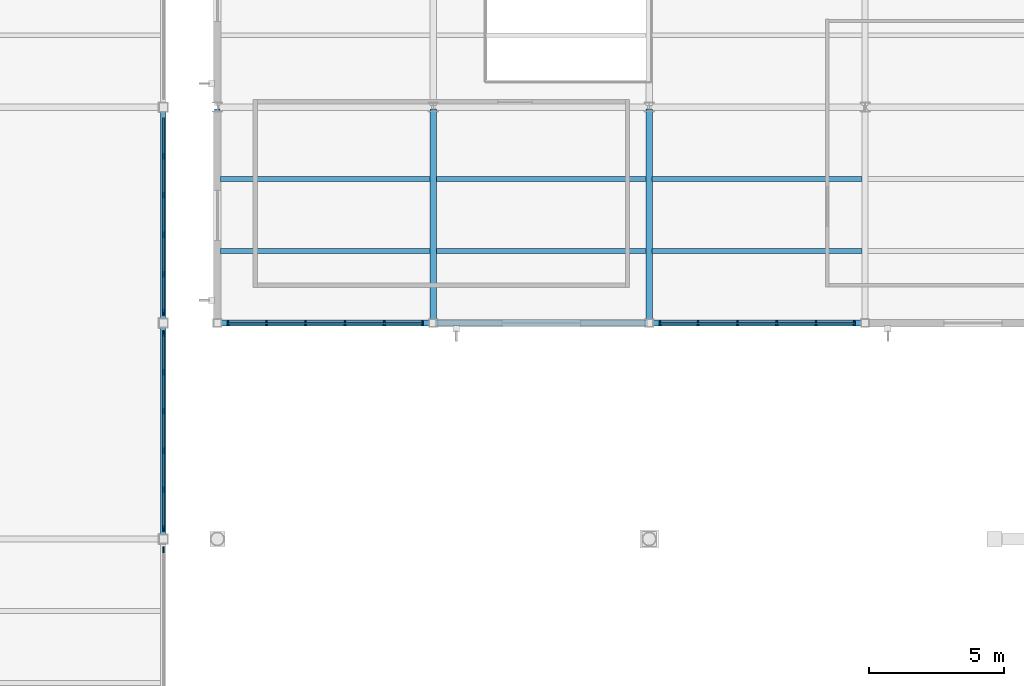
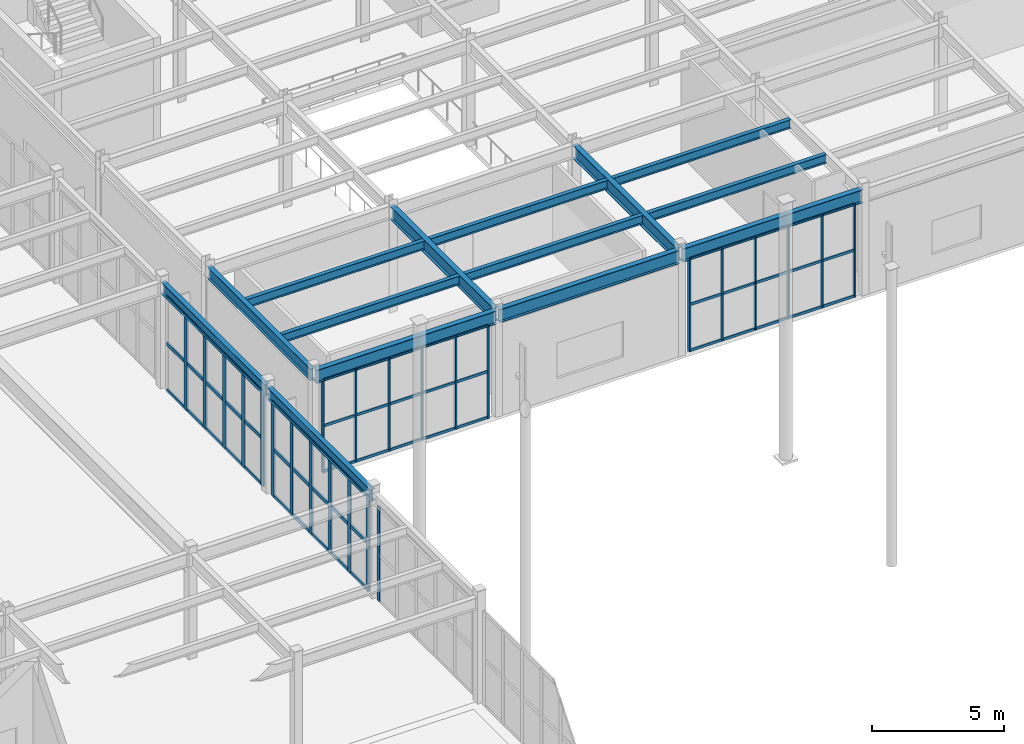
# One storey, part 39 of 77: 36 members, 14 beams, 5 elements without a shape of their own.
"""IFC4 building model written with IfcOpenShell, lengths in metres."""

from ifc_helpers import new_model, si_unit, direction, frame, origin, origin_2d, place, context, subcontext, project, spatial, rectangle, i_section, extrude, material, material_profile, profile_set, type_object, element, aggregate, save


model = new_model("IFC4")

# Units and contexts
model_context = context("Model", 3, precision=1e-05, world=origin(), true_north=direction((0.0, 1.0)))
body_context = subcontext(model_context, "Body", "Model", "MODEL_VIEW")
ifc_project = project(units=[si_unit("LENGTHUNIT", "METRE"), si_unit("AREAUNIT", "SQUARE_METRE"), si_unit("VOLUMEUNIT", "CUBIC_METRE"), si_unit("PLANEANGLEUNIT", "RADIAN"), si_unit("MASSUNIT", "GRAM", prefix="KILO")], contexts=[model_context])

# Site, building, storey
site_placement = place(None, origin())
site = spatial("IfcSite", under=ifc_project, at=site_placement, CompositionType="ELEMENT")
building_placement = place(site_placement, origin())
building = spatial("IfcBuilding", under=site, at=building_placement, Name="Drelvath Fold Interchange", CompositionType="ELEMENT")
storey_placement = place(building_placement, frame((0.0, 0.0, 6.0)))
storey = spatial("IfcBuildingStorey", under=building, at=storey_placement, Name="L01", CompositionType="ELEMENT", Elevation=6.0)

# Beams
ifc_material_1 = material(Name="Steel ASTM A992 Grade 50", Category="steel")
ifc_material_profile_1 = material_profile(ifc_material_1, i_section(OverallWidth=0.177978515625, OverallDepth=0.403076171875, WebThickness=0.007568359375, FlangeThickness=0.010986328125, at=origin_2d()), Name="W16X36")
ifc_profile_set_1 = profile_set([ifc_material_profile_1], Name="Steel ASTM A992 Grade 50")
beam_type_1 = type_object("IfcBeamType", Name="BM-W16X36", PredefinedType="JOIST", material=ifc_profile_set_1)
for number, where, z_axis, x_axis, name in (
    (1, (102.10302734375, 77.6669921875, 4.68896484375), (1.0, 0.0, 0.0), (0.0, 1.0, 0.0), "L01 Secondary floor joist BM-W16X36"),
    (2, (102.10302734375, 80.3330078125, 4.68896484375), (1.0, 0.0, 0.0), (0.0, 1.0, 0.0), "L01 Secondary floor joist BM-W16X36"),
):
    element("IfcBeam", number, at=place(storey_placement, frame(where, z_axis=z_axis, x_axis=x_axis)), inside=storey, type_object=beam_type_1, Name=name, PredefinedType="JOIST", context=body_context, shape_type="SweptSolid", body=[
        extrude(i_section(OverallWidth=0.177978515625, OverallDepth=0.403076171875, WebThickness=0.007568359375, FlangeThickness=0.010986328125, at=origin_2d()), origin(), (0.0, 0.0, 1.0), 7.783935546875),
    ])
for number, where, z_axis, x_axis, name in (
    (3, (110.113037109375, 77.6669921875, 4.68896484375), (1.0, 0.0, 0.0), (0.0, 1.0, 0.0), "L01 Secondary floor joist BM-W16X36"),
    (4, (110.113037109375, 80.3330078125, 4.68896484375), (1.0, 0.0, 0.0), (0.0, 1.0, 0.0), "L01 Secondary floor joist BM-W16X36"),
    (5, (118.113037109375, 77.6669921875, 4.68896484375), (1.0, 0.0, 0.0), (0.0, 1.0, 0.0), "L01 Secondary floor joist BM-W16X36"),
    (6, (118.113037109375, 80.3330078125, 4.68896484375), (1.0, 0.0, 0.0), (0.0, 1.0, 0.0), "L01 Secondary floor joist BM-W16X36"),
):
    element("IfcBeam", number, at=place(storey_placement, frame(where, z_axis=z_axis, x_axis=x_axis)), inside=storey, type_object=beam_type_1, Name=name, PredefinedType="JOIST", context=body_context, shape_type="SweptSolid", body=[
        extrude(i_section(OverallWidth=0.177978515625, OverallDepth=0.403076171875, WebThickness=0.007568359375, FlangeThickness=0.010986328125, at=origin_2d()), origin(), (0.0, 0.0, 1.0), 7.77392578125),
    ])
ifc_material_profile_2 = material_profile(ifc_material_1, i_section(OverallWidth=0.2099609375, OverallDepth=0.537109375, WebThickness=0.010986328125, FlangeThickness=0.017333984375, at=origin_2d()), Name="W21X68")
ifc_profile_set_2 = profile_set([ifc_material_profile_2], Name="Steel ASTM A992 Grade 50")
beam_type_2 = type_object("IfcBeamType", Name="BM-W21X68", PredefinedType="SPANDREL", material=ifc_profile_set_2)
for number, where, z_axis, x_axis, name in (
    (7, (100.0, 67.06005859375, 4.60107421875), (0.0, 1.0, 0.0), (-1.0, 0.0, 0.0), "L01 Primary Y girder BM-W21X68"),
    (8, (100.0, 75.06005859375, 4.60107421875), (0.0, 1.0, 0.0), (-1.0, 0.0, 0.0), "L01 Primary Y girder BM-W21X68"),
    (9, (102.0, 75.06005859375, 4.6220703125), (0.0, 1.0, 0.0), (-1.0, 0.0, 0.0), "L01 Primary Y girder BM-W21X68"),
):
    element("IfcBeam", number, at=place(storey_placement, frame(where, z_axis=z_axis, x_axis=x_axis)), inside=storey, type_object=beam_type_2, Name=name, PredefinedType="SPANDREL", context=body_context, shape_type="SweptSolid", body=[
        extrude(i_section(OverallWidth=0.2099609375, OverallDepth=0.537109375, WebThickness=0.010986328125, FlangeThickness=0.017333984375, at=origin_2d()), origin(), (0.0, 0.0, 1.0), 7.8798828125),
    ])
ifc_material_profile_3 = material_profile(ifc_material_1, i_section(OverallWidth=0.22998046875, OverallDepth=0.616943359375, WebThickness=0.01318359375, FlangeThickness=0.022216796875, at=origin_2d()), Name="W24X94")
ifc_profile_set_3 = profile_set([ifc_material_profile_3], Name="Steel ASTM A992 Grade 50")
beam_type_3 = type_object("IfcBeamType", Name="BM-W24X94", PredefinedType="BEAM", material=ifc_profile_set_3)
for number, where, z_axis, x_axis, name in (
    (10, (102.06005859375, 75.0, 4.58203125), (1.0, 0.0, 0.0), (0.0, 1.0, 0.0), "L01 Primary X girder BM-W24X94"),
    (11, (110.06005859375, 75.0, 4.58203125), (1.0, 0.0, 0.0), (0.0, 1.0, 0.0), "L01 Primary X girder BM-W24X94"),
    (12, (118.06005859375, 75.0, 4.58203125), (1.0, 0.0, 0.0), (0.0, 1.0, 0.0), "L01 Primary X girder BM-W24X94"),
    (13, (110.0, 75.06005859375, 4.58203125), (0.0, 1.0, 0.0), (-1.0, 0.0, 0.0), "L01 Primary Y girder BM-W24X94"),
    (14, (118.0, 75.06005859375, 4.58203125), (0.0, 1.0, 0.0), (-1.0, 0.0, 0.0), "L01 Primary Y girder BM-W24X94"),
):
    element("IfcBeam", number, at=place(storey_placement, frame(where, z_axis=z_axis, x_axis=x_axis)), inside=storey, type_object=beam_type_3, Name=name, PredefinedType="BEAM", context=body_context, shape_type="SweptSolid", body=[
        extrude(i_section(OverallWidth=0.22998046875, OverallDepth=0.616943359375, WebThickness=0.01318359375, FlangeThickness=0.022216796875, at=origin_2d()), origin(), (0.0, 0.0, 1.0), 7.8798828125),
    ])

# Curtain wall, members
ifc_material_2 = material(Name="Anodized Aluminium 6063-T6", Category="aluminium")
curtain_wall_type_1 = type_object("IfcCurtainWallType", Name="CW-CYC-430", PredefinedType="USERDEFINED", material=ifc_material_2)
curtain_wall_1_placement = place(storey_placement, origin())
curtain_wall_1 = element("IfcCurtainWall", 15, at=curtain_wall_1_placement, inside=storey, type_object=curtain_wall_type_1, Name="Curtain wall CW-CYC-L01-S102", ObjectType="UNITISED CURTAIN WALL", PredefinedType="USERDEFINED")
ifc_material_profile_4 = material_profile(ifc_material_2, rectangle(XDim=0.06005859375, YDim=0.14990234375, at=origin_2d()), Name="AL-M 60x150")
ifc_profile_set_4 = profile_set([ifc_material_profile_4], Name="Anodized Aluminium 6063-T6")
member_type_1 = type_object("IfcMemberType", Name="ML-150", PredefinedType="MULLION", material=ifc_profile_set_4)
member_1_placement = place(storey_placement, frame((102.39990234375, 75.0, 0.0), z_axis=(0.0, 0.0, 1.0), x_axis=(1.0, 0.0, 0.0)))
member_1 = element("IfcMember", 16, at=member_1_placement, type_object=member_type_1, Name="CW-CYC-L01-S102 mullion 0", PredefinedType="MULLION", context=body_context, shape_type="SweptSolid", body=[
    extrude(rectangle(XDim=0.06005859375, YDim=0.14990234375, at=origin_2d()), origin(), (0.0, 0.0, 1.0), 4.300048828125),
])
member_2_placement = place(storey_placement, frame((103.81591796875, 75.0, 0.0), z_axis=(0.0, 0.0, 1.0), x_axis=(1.0, 0.0, 0.0)))
member_2 = element("IfcMember", 17, at=member_2_placement, type_object=member_type_1, Name="CW-CYC-L01-S102 mullion 1", PredefinedType="MULLION", context=body_context, shape_type="SweptSolid", body=[
    extrude(rectangle(XDim=0.06005859375, YDim=0.14990234375, at=origin_2d()), origin(), (0.0, 0.0, 1.0), 4.300048828125),
])
member_3_placement = place(storey_placement, frame((105.27197265625, 75.0, 0.0), z_axis=(0.0, 0.0, 1.0), x_axis=(1.0, 0.0, 0.0)))
member_3 = element("IfcMember", 18, at=member_3_placement, type_object=member_type_1, Name="CW-CYC-L01-S102 mullion 2", PredefinedType="MULLION", context=body_context, shape_type="SweptSolid", body=[
    extrude(rectangle(XDim=0.06005859375, YDim=0.14990234375, at=origin_2d()), origin(), (0.0, 0.0, 1.0), 4.300048828125),
])
member_4_placement = place(storey_placement, frame((106.72802734375, 75.0, 0.0), z_axis=(0.0, 0.0, 1.0), x_axis=(1.0, 0.0, 0.0)))
member_4 = element("IfcMember", 19, at=member_4_placement, type_object=member_type_1, Name="CW-CYC-L01-S102 mullion 3", PredefinedType="MULLION", context=body_context, shape_type="SweptSolid", body=[
    extrude(rectangle(XDim=0.06005859375, YDim=0.14990234375, at=origin_2d()), origin(), (0.0, 0.0, 1.0), 4.300048828125),
])
member_5_placement = place(storey_placement, frame((108.18408203125, 75.0, 0.0), z_axis=(0.0, 0.0, 1.0), x_axis=(1.0, 0.0, 0.0)))
member_5 = element("IfcMember", 20, at=member_5_placement, type_object=member_type_1, Name="CW-CYC-L01-S102 mullion 4", PredefinedType="MULLION", context=body_context, shape_type="SweptSolid", body=[
    extrude(rectangle(XDim=0.06005859375, YDim=0.14990234375, at=origin_2d()), origin(), (0.0, 0.0, 1.0), 4.300048828125),
])
member_6_placement = place(storey_placement, frame((109.60009765625, 75.0, 0.0), z_axis=(0.0, 0.0, 1.0), x_axis=(1.0, 0.0, 0.0)))
member_6 = element("IfcMember", 21, at=member_6_placement, type_object=member_type_1, Name="CW-CYC-L01-S102 mullion 5", PredefinedType="MULLION", context=body_context, shape_type="SweptSolid", body=[
    extrude(rectangle(XDim=0.06005859375, YDim=0.14990234375, at=origin_2d()), origin(), (0.0, 0.0, 1.0), 4.300048828125),
])

curtain_wall_2_placement = place(storey_placement, origin())
curtain_wall_2 = element("IfcCurtainWall", 22, at=curtain_wall_2_placement, inside=storey, type_object=curtain_wall_type_1, Name="Curtain wall CW-CYC-L01-S118", ObjectType="UNITISED CURTAIN WALL", PredefinedType="USERDEFINED")
member_7_placement = place(storey_placement, frame((118.39990234375, 75.0, 0.0), z_axis=(0.0, 0.0, 1.0), x_axis=(1.0, 0.0, 0.0)))
member_7 = element("IfcMember", 23, at=member_7_placement, type_object=member_type_1, Name="CW-CYC-L01-S118 mullion 0", PredefinedType="MULLION", context=body_context, shape_type="SweptSolid", body=[
    extrude(rectangle(XDim=0.06005859375, YDim=0.14990234375, at=origin_2d()), origin(), (0.0, 0.0, 1.0), 4.300048828125),
])
member_8_placement = place(storey_placement, frame((119.81591796875, 75.0, 0.0), z_axis=(0.0, 0.0, 1.0), x_axis=(1.0, 0.0, 0.0)))
member_8 = element("IfcMember", 24, at=member_8_placement, type_object=member_type_1, Name="CW-CYC-L01-S118 mullion 1", PredefinedType="MULLION", context=body_context, shape_type="SweptSolid", body=[
    extrude(rectangle(XDim=0.06005859375, YDim=0.14990234375, at=origin_2d()), origin(), (0.0, 0.0, 1.0), 4.300048828125),
])
member_9_placement = place(storey_placement, frame((121.27197265625, 75.0, 0.0), z_axis=(0.0, 0.0, 1.0), x_axis=(1.0, 0.0, 0.0)))
member_9 = element("IfcMember", 25, at=member_9_placement, type_object=member_type_1, Name="CW-CYC-L01-S118 mullion 2", PredefinedType="MULLION", context=body_context, shape_type="SweptSolid", body=[
    extrude(rectangle(XDim=0.06005859375, YDim=0.14990234375, at=origin_2d()), origin(), (0.0, 0.0, 1.0), 4.300048828125),
])
member_10_placement = place(storey_placement, frame((122.72802734375, 75.0, 0.0), z_axis=(0.0, 0.0, 1.0), x_axis=(1.0, 0.0, 0.0)))
member_10 = element("IfcMember", 26, at=member_10_placement, type_object=member_type_1, Name="CW-CYC-L01-S118 mullion 3", PredefinedType="MULLION", context=body_context, shape_type="SweptSolid", body=[
    extrude(rectangle(XDim=0.06005859375, YDim=0.14990234375, at=origin_2d()), origin(), (0.0, 0.0, 1.0), 4.300048828125),
])
member_11_placement = place(storey_placement, frame((124.18408203125, 75.0, 0.0), z_axis=(0.0, 0.0, 1.0), x_axis=(1.0, 0.0, 0.0)))
member_11 = element("IfcMember", 27, at=member_11_placement, type_object=member_type_1, Name="CW-CYC-L01-S118 mullion 4", PredefinedType="MULLION", context=body_context, shape_type="SweptSolid", body=[
    extrude(rectangle(XDim=0.06005859375, YDim=0.14990234375, at=origin_2d()), origin(), (0.0, 0.0, 1.0), 4.300048828125),
])
member_12_placement = place(storey_placement, frame((125.60009765625, 75.0, 0.0), z_axis=(0.0, 0.0, 1.0), x_axis=(1.0, 0.0, 0.0)))
member_12 = element("IfcMember", 28, at=member_12_placement, type_object=member_type_1, Name="CW-CYC-L01-S118 mullion 5", PredefinedType="MULLION", context=body_context, shape_type="SweptSolid", body=[
    extrude(rectangle(XDim=0.06005859375, YDim=0.14990234375, at=origin_2d()), origin(), (0.0, 0.0, 1.0), 4.300048828125),
])

# Curtain wall, member
curtain_wall_type_2 = type_object("IfcCurtainWallType", Name="CW-CON-520", PredefinedType="USERDEFINED", material=ifc_material_2)
curtain_wall_3_placement = place(storey_placement, origin())
curtain_wall_3 = element("IfcCurtainWall", 29, at=curtain_wall_3_placement, inside=storey, type_object=curtain_wall_type_2, Name="Curtain wall CW-V1E-L01-Y59", ObjectType="UNITISED CURTAIN WALL", PredefinedType="USERDEFINED")
ifc_material_profile_5 = material_profile(ifc_material_2, rectangle(XDim=0.06494140625, YDim=0.219970703125, at=origin_2d()), Name="AL-M 65x220")
ifc_profile_set_5 = profile_set([ifc_material_profile_5], Name="Anodized Aluminium 6063-T6")
member_type_2 = type_object("IfcMemberType", Name="ML-220", PredefinedType="MULLION", material=ifc_profile_set_5)
member_13_placement = place(storey_placement, frame((100.0, 66.60009765625, 0.0), z_axis=(0.0, 0.0, 1.0), x_axis=(1.0, 0.0, 0.0)))
member_13 = element("IfcMember", 30, at=member_13_placement, type_object=member_type_2, Name="CW-V1E-L01-Y59 mullion 5", PredefinedType="MULLION", context=body_context, shape_type="SweptSolid", body=[
    extrude(rectangle(XDim=0.06494140625, YDim=0.219970703125, at=origin_2d()), origin(), (0.0, 0.0, 1.0), 4.35009765625),
])
aggregate(curtain_wall_3, [member_13])

# Curtain wall, members
curtain_wall_4_placement = place(storey_placement, origin())
curtain_wall_4 = element("IfcCurtainWall", 31, at=curtain_wall_4_placement, inside=storey, type_object=curtain_wall_type_2, Name="Curtain wall CW-V1E-L01-Y67", ObjectType="UNITISED CURTAIN WALL", PredefinedType="USERDEFINED")
member_14_placement = place(storey_placement, frame((100.0, 67.39990234375, 0.0), z_axis=(0.0, 0.0, 1.0), x_axis=(1.0, 0.0, 0.0)))
member_14 = element("IfcMember", 32, at=member_14_placement, type_object=member_type_2, Name="CW-V1E-L01-Y67 mullion 0", PredefinedType="MULLION", context=body_context, shape_type="SweptSolid", body=[
    extrude(rectangle(XDim=0.06494140625, YDim=0.219970703125, at=origin_2d()), origin(), (0.0, 0.0, 1.0), 4.35009765625),
])
member_15_placement = place(storey_placement, frame((100.0, 68.81591796875, 0.0), z_axis=(0.0, 0.0, 1.0), x_axis=(1.0, 0.0, 0.0)))
member_15 = element("IfcMember", 33, at=member_15_placement, type_object=member_type_2, Name="CW-V1E-L01-Y67 mullion 1", PredefinedType="MULLION", context=body_context, shape_type="SweptSolid", body=[
    extrude(rectangle(XDim=0.06494140625, YDim=0.219970703125, at=origin_2d()), origin(), (0.0, 0.0, 1.0), 4.35009765625),
])
member_16_placement = place(storey_placement, frame((100.0, 70.27197265625, 0.0), z_axis=(0.0, 0.0, 1.0), x_axis=(1.0, 0.0, 0.0)))
member_16 = element("IfcMember", 34, at=member_16_placement, type_object=member_type_2, Name="CW-V1E-L01-Y67 mullion 2", PredefinedType="MULLION", context=body_context, shape_type="SweptSolid", body=[
    extrude(rectangle(XDim=0.06494140625, YDim=0.219970703125, at=origin_2d()), origin(), (0.0, 0.0, 1.0), 4.35009765625),
])
member_17_placement = place(storey_placement, frame((100.0, 71.72802734375, 0.0), z_axis=(0.0, 0.0, 1.0), x_axis=(1.0, 0.0, 0.0)))
member_17 = element("IfcMember", 35, at=member_17_placement, type_object=member_type_2, Name="CW-V1E-L01-Y67 mullion 3", PredefinedType="MULLION", context=body_context, shape_type="SweptSolid", body=[
    extrude(rectangle(XDim=0.06494140625, YDim=0.219970703125, at=origin_2d()), origin(), (0.0, 0.0, 1.0), 4.35009765625),
])
member_18_placement = place(storey_placement, frame((100.0, 73.18408203125, 0.0), z_axis=(0.0, 0.0, 1.0), x_axis=(1.0, 0.0, 0.0)))
member_18 = element("IfcMember", 36, at=member_18_placement, type_object=member_type_2, Name="CW-V1E-L01-Y67 mullion 4", PredefinedType="MULLION", context=body_context, shape_type="SweptSolid", body=[
    extrude(rectangle(XDim=0.06494140625, YDim=0.219970703125, at=origin_2d()), origin(), (0.0, 0.0, 1.0), 4.35009765625),
])
member_19_placement = place(storey_placement, frame((100.0, 74.60009765625, 0.0), z_axis=(0.0, 0.0, 1.0), x_axis=(1.0, 0.0, 0.0)))
member_19 = element("IfcMember", 37, at=member_19_placement, type_object=member_type_2, Name="CW-V1E-L01-Y67 mullion 5", PredefinedType="MULLION", context=body_context, shape_type="SweptSolid", body=[
    extrude(rectangle(XDim=0.06494140625, YDim=0.219970703125, at=origin_2d()), origin(), (0.0, 0.0, 1.0), 4.35009765625),
])

curtain_wall_5_placement = place(storey_placement, origin())
curtain_wall_5 = element("IfcCurtainWall", 38, at=curtain_wall_5_placement, inside=storey, type_object=curtain_wall_type_2, Name="Curtain wall CW-V1E-L01-Y75", ObjectType="UNITISED CURTAIN WALL", PredefinedType="USERDEFINED")
member_20_placement = place(storey_placement, frame((100.0, 75.39990234375, 0.0), z_axis=(0.0, 0.0, 1.0), x_axis=(1.0, 0.0, 0.0)))
member_20 = element("IfcMember", 39, at=member_20_placement, type_object=member_type_2, Name="CW-V1E-L01-Y75 mullion 0", PredefinedType="MULLION", context=body_context, shape_type="SweptSolid", body=[
    extrude(rectangle(XDim=0.06494140625, YDim=0.219970703125, at=origin_2d()), origin(), (0.0, 0.0, 1.0), 4.35009765625),
])
member_21_placement = place(storey_placement, frame((100.0, 76.81591796875, 0.0), z_axis=(0.0, 0.0, 1.0), x_axis=(1.0, 0.0, 0.0)))
member_21 = element("IfcMember", 40, at=member_21_placement, type_object=member_type_2, Name="CW-V1E-L01-Y75 mullion 1", PredefinedType="MULLION", context=body_context, shape_type="SweptSolid", body=[
    extrude(rectangle(XDim=0.06494140625, YDim=0.219970703125, at=origin_2d()), origin(), (0.0, 0.0, 1.0), 4.35009765625),
])
member_22_placement = place(storey_placement, frame((100.0, 78.27197265625, 0.0), z_axis=(0.0, 0.0, 1.0), x_axis=(1.0, 0.0, 0.0)))
member_22 = element("IfcMember", 41, at=member_22_placement, type_object=member_type_2, Name="CW-V1E-L01-Y75 mullion 2", PredefinedType="MULLION", context=body_context, shape_type="SweptSolid", body=[
    extrude(rectangle(XDim=0.06494140625, YDim=0.219970703125, at=origin_2d()), origin(), (0.0, 0.0, 1.0), 4.35009765625),
])
member_23_placement = place(storey_placement, frame((100.0, 79.72802734375, 0.0), z_axis=(0.0, 0.0, 1.0), x_axis=(1.0, 0.0, 0.0)))
member_23 = element("IfcMember", 42, at=member_23_placement, type_object=member_type_2, Name="CW-V1E-L01-Y75 mullion 3", PredefinedType="MULLION", context=body_context, shape_type="SweptSolid", body=[
    extrude(rectangle(XDim=0.06494140625, YDim=0.219970703125, at=origin_2d()), origin(), (0.0, 0.0, 1.0), 4.35009765625),
])
member_24_placement = place(storey_placement, frame((100.0, 81.18408203125, 0.0), z_axis=(0.0, 0.0, 1.0), x_axis=(1.0, 0.0, 0.0)))
member_24 = element("IfcMember", 43, at=member_24_placement, type_object=member_type_2, Name="CW-V1E-L01-Y75 mullion 4", PredefinedType="MULLION", context=body_context, shape_type="SweptSolid", body=[
    extrude(rectangle(XDim=0.06494140625, YDim=0.219970703125, at=origin_2d()), origin(), (0.0, 0.0, 1.0), 4.35009765625),
])

# Member
ifc_material_profile_6 = material_profile(ifc_material_2, rectangle(XDim=0.06005859375, YDim=0.1201171875, at=origin_2d()), Name="AL-T 60x120")
ifc_profile_set_6 = profile_set([ifc_material_profile_6], Name="Anodized Aluminium 6063-T6")
member_type_3 = type_object("IfcMemberType", Name="TR-120", PredefinedType="USERDEFINED", material=ifc_profile_set_6)
member_25_placement = place(storey_placement, frame((102.39990234375, 75.0, 0.030029296875), z_axis=(1.0, 0.0, 0.0), x_axis=(0.0, 1.0, 0.0)))
member_25 = element("IfcMember", 44, at=member_25_placement, type_object=member_type_3, Name="CW-CYC-L01-S102 transom 0", ObjectType="TRANSOM", PredefinedType="USERDEFINED", context=body_context, shape_type="SweptSolid", body=[
    extrude(rectangle(XDim=0.06005859375, YDim=0.1201171875, at=origin_2d()), origin(), (0.0, 0.0, 1.0), 7.2001953125),
])

member_26_placement = place(storey_placement, frame((102.39990234375, 75.0, 2.14990234375), z_axis=(1.0, 0.0, 0.0), x_axis=(0.0, 1.0, 0.0)))
member_26 = element("IfcMember", 45, at=member_26_placement, type_object=member_type_3, Name="CW-CYC-L01-S102 transom 1", ObjectType="TRANSOM", PredefinedType="USERDEFINED", context=body_context, shape_type="SweptSolid", body=[
    extrude(rectangle(XDim=0.06005859375, YDim=0.1201171875, at=origin_2d()), origin(), (0.0, 0.0, 1.0), 7.2001953125),
])

member_27_placement = place(storey_placement, frame((102.39990234375, 75.0, 4.27001953125), z_axis=(1.0, 0.0, 0.0), x_axis=(0.0, 1.0, 0.0)))
member_27 = element("IfcMember", 46, at=member_27_placement, type_object=member_type_3, Name="CW-CYC-L01-S102 transom 2", ObjectType="TRANSOM", PredefinedType="USERDEFINED", context=body_context, shape_type="SweptSolid", body=[
    extrude(rectangle(XDim=0.06005859375, YDim=0.1201171875, at=origin_2d()), origin(), (0.0, 0.0, 1.0), 7.2001953125),
])

aggregate(curtain_wall_1, [member_1, member_2, member_3, member_4, member_5, member_6, member_25, member_26, member_27])

member_28_placement = place(storey_placement, frame((118.39990234375, 75.0, 0.030029296875), z_axis=(1.0, 0.0, 0.0), x_axis=(0.0, 1.0, 0.0)))
member_28 = element("IfcMember", 47, at=member_28_placement, type_object=member_type_3, Name="CW-CYC-L01-S118 transom 0", ObjectType="TRANSOM", PredefinedType="USERDEFINED", context=body_context, shape_type="SweptSolid", body=[
    extrude(rectangle(XDim=0.06005859375, YDim=0.1201171875, at=origin_2d()), origin(), (0.0, 0.0, 1.0), 7.2001953125),
])

member_29_placement = place(storey_placement, frame((118.39990234375, 75.0, 2.14990234375), z_axis=(1.0, 0.0, 0.0), x_axis=(0.0, 1.0, 0.0)))
member_29 = element("IfcMember", 48, at=member_29_placement, type_object=member_type_3, Name="CW-CYC-L01-S118 transom 1", ObjectType="TRANSOM", PredefinedType="USERDEFINED", context=body_context, shape_type="SweptSolid", body=[
    extrude(rectangle(XDim=0.06005859375, YDim=0.1201171875, at=origin_2d()), origin(), (0.0, 0.0, 1.0), 7.2001953125),
])

member_30_placement = place(storey_placement, frame((118.39990234375, 75.0, 4.27001953125), z_axis=(1.0, 0.0, 0.0), x_axis=(0.0, 1.0, 0.0)))
member_30 = element("IfcMember", 49, at=member_30_placement, type_object=member_type_3, Name="CW-CYC-L01-S118 transom 2", ObjectType="TRANSOM", PredefinedType="USERDEFINED", context=body_context, shape_type="SweptSolid", body=[
    extrude(rectangle(XDim=0.06005859375, YDim=0.1201171875, at=origin_2d()), origin(), (0.0, 0.0, 1.0), 7.2001953125),
])

aggregate(curtain_wall_2, [member_7, member_8, member_9, member_10, member_11, member_12, member_28, member_29, member_30])

ifc_material_profile_7 = material_profile(ifc_material_2, rectangle(XDim=0.06494140625, YDim=0.179931640625, at=origin_2d()), Name="AL-T 65x180")
ifc_profile_set_7 = profile_set([ifc_material_profile_7], Name="Anodized Aluminium 6063-T6")
member_type_4 = type_object("IfcMemberType", Name="TR-180", PredefinedType="USERDEFINED", material=ifc_profile_set_7)
member_31_placement = place(storey_placement, frame((100.0, 67.39990234375, 0.030029296875), z_axis=(0.0, 1.0, 0.0), x_axis=(-1.0, 0.0, 0.0)))
member_31 = element("IfcMember", 50, at=member_31_placement, type_object=member_type_4, Name="CW-V1E-L01-Y67 transom 0", ObjectType="TRANSOM", PredefinedType="USERDEFINED", context=body_context, shape_type="SweptSolid", body=[
    extrude(rectangle(XDim=0.06494140625, YDim=0.179931640625, at=origin_2d()), origin(), (0.0, 0.0, 1.0), 7.2001953125),
])

member_32_placement = place(storey_placement, frame((100.0, 67.39990234375, 2.175048828125), z_axis=(0.0, 1.0, 0.0), x_axis=(-1.0, 0.0, 0.0)))
member_32 = element("IfcMember", 51, at=member_32_placement, type_object=member_type_4, Name="CW-V1E-L01-Y67 transom 1", ObjectType="TRANSOM", PredefinedType="USERDEFINED", context=body_context, shape_type="SweptSolid", body=[
    extrude(rectangle(XDim=0.06494140625, YDim=0.179931640625, at=origin_2d()), origin(), (0.0, 0.0, 1.0), 7.2001953125),
])

member_33_placement = place(storey_placement, frame((100.0, 67.39990234375, 4.320068359375), z_axis=(0.0, 1.0, 0.0), x_axis=(-1.0, 0.0, 0.0)))
member_33 = element("IfcMember", 52, at=member_33_placement, type_object=member_type_4, Name="CW-V1E-L01-Y67 transom 2", ObjectType="TRANSOM", PredefinedType="USERDEFINED", context=body_context, shape_type="SweptSolid", body=[
    extrude(rectangle(XDim=0.06494140625, YDim=0.179931640625, at=origin_2d()), origin(), (0.0, 0.0, 1.0), 7.2001953125),
])

aggregate(curtain_wall_4, [member_14, member_15, member_16, member_17, member_18, member_19, member_31, member_32, member_33])

member_34_placement = place(storey_placement, frame((100.0, 75.39990234375, 0.030029296875), z_axis=(0.0, 1.0, 0.0), x_axis=(-1.0, 0.0, 0.0)))
member_34 = element("IfcMember", 53, at=member_34_placement, type_object=member_type_4, Name="CW-V1E-L01-Y75 transom 0", ObjectType="TRANSOM", PredefinedType="USERDEFINED", context=body_context, shape_type="SweptSolid", body=[
    extrude(rectangle(XDim=0.06494140625, YDim=0.179931640625, at=origin_2d()), origin(), (0.0, 0.0, 1.0), 7.2001953125),
])

member_35_placement = place(storey_placement, frame((100.0, 75.39990234375, 2.175048828125), z_axis=(0.0, 1.0, 0.0), x_axis=(-1.0, 0.0, 0.0)))
member_35 = element("IfcMember", 54, at=member_35_placement, type_object=member_type_4, Name="CW-V1E-L01-Y75 transom 1", ObjectType="TRANSOM", PredefinedType="USERDEFINED", context=body_context, shape_type="SweptSolid", body=[
    extrude(rectangle(XDim=0.06494140625, YDim=0.179931640625, at=origin_2d()), origin(), (0.0, 0.0, 1.0), 7.2001953125),
])

member_36_placement = place(storey_placement, frame((100.0, 75.39990234375, 4.320068359375), z_axis=(0.0, 1.0, 0.0), x_axis=(-1.0, 0.0, 0.0)))
member_36 = element("IfcMember", 55, at=member_36_placement, type_object=member_type_4, Name="CW-V1E-L01-Y75 transom 2", ObjectType="TRANSOM", PredefinedType="USERDEFINED", context=body_context, shape_type="SweptSolid", body=[
    extrude(rectangle(XDim=0.06494140625, YDim=0.179931640625, at=origin_2d()), origin(), (0.0, 0.0, 1.0), 7.2001953125),
])

aggregate(curtain_wall_5, [member_20, member_21, member_22, member_23, member_24, member_34, member_35, member_36])

save(model, "model.ifc")
